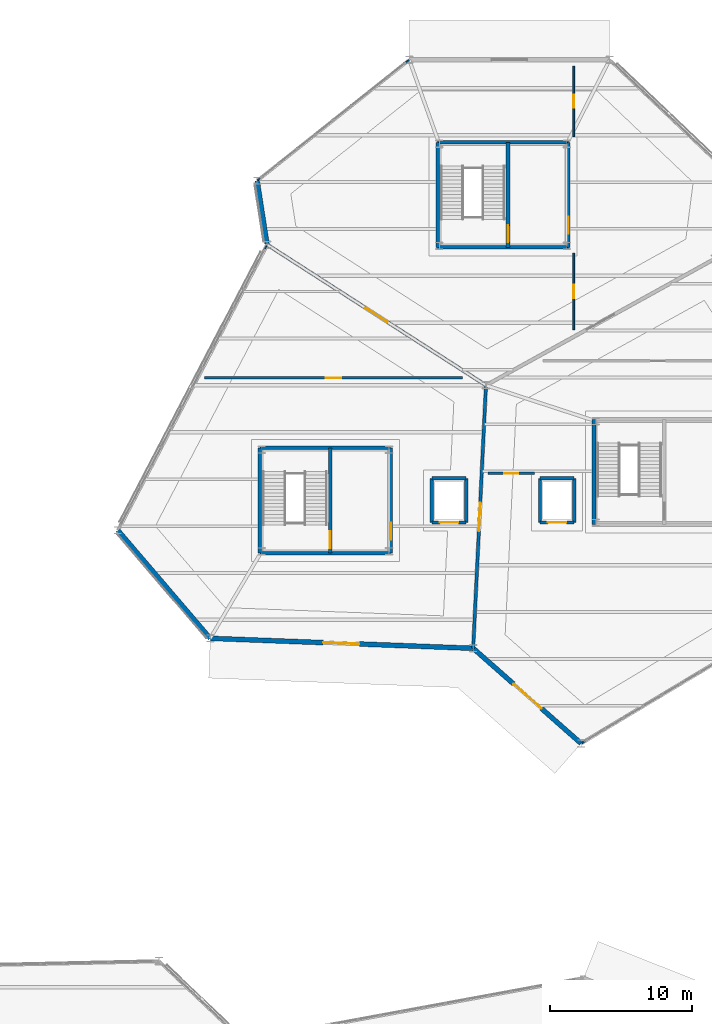
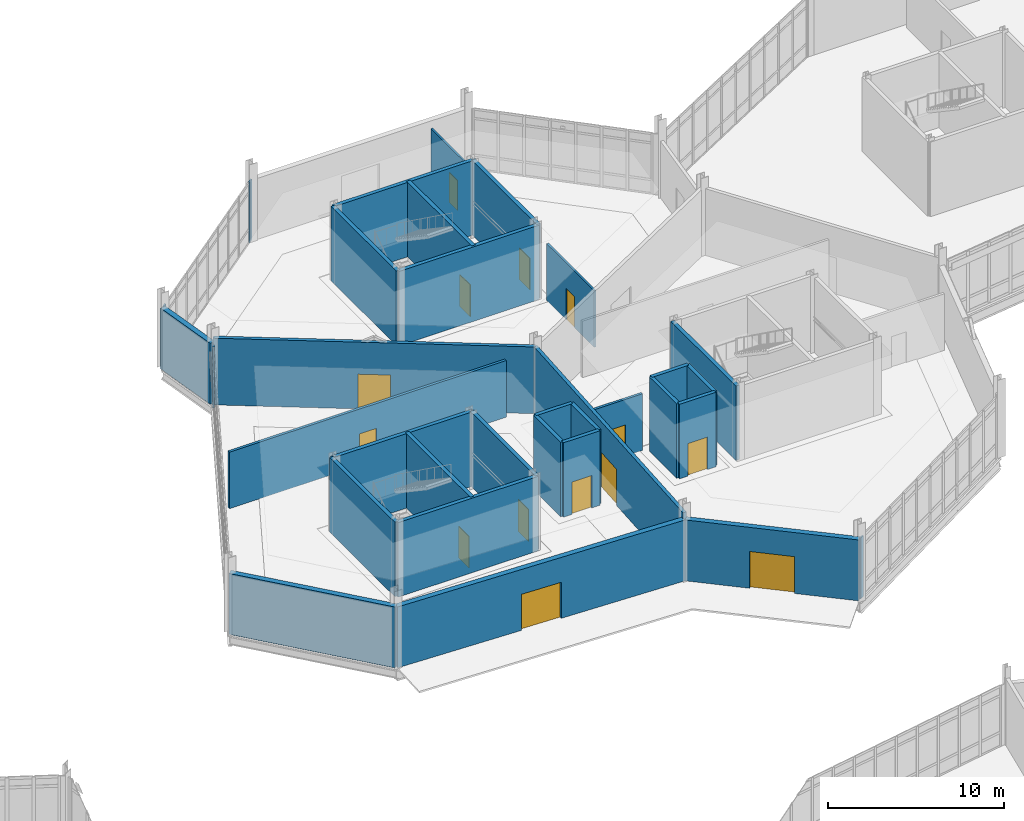
# One storey, part 96 of 113: 33 walls, 14 doors, 14 openings.
"""IFC4 building model written with IfcOpenShell, lengths in metres."""

import ifcopenshell
import ifcopenshell.guid

model = None  # the IFC model being written
_history = None  # IfcOwnerHistory: only IFC2X3 demands one
_inside = {}  # id of a spatial element -> (the spatial element, [elements in it])
_under = {}  # id of a project, library or spatial element -> (it, [spatial elements below it])
_declared = {}  # id of a project -> (the project, [libraries it declares])
_typed = {}  # id of a type object -> (the type object, [elements of that type])
_made_of = {}  # id of a material, layer set ... -> (it, [elements and type objects made of it])


def new_model(schema):
    """Start an empty IFC model of exactly this schema.

    Asked for "IFC4X3", IfcOpenShell would pick the latest addendum, in which some entities
    have other attributes; the version numbers below select the first issue.
    IFC2X3 requires an IfcOwnerHistory on every rooted entity: one is made here for all.
    """
    global model, _history
    if schema == "IFC4X3":
        model = ifcopenshell.file(schema_version=(4, 3, 0, 0))
    else:
        model = ifcopenshell.file(schema=schema)
    _inside.clear()
    _under.clear()
    _declared.clear()
    _typed.clear()
    _made_of.clear()
    _history = None
    if model.schema == "IFC2X3":
        org = make("IfcOrganization", Name="unknown")
        user = make(
            "IfcPersonAndOrganization",
            ThePerson=make("IfcPerson", FamilyName="unknown"),
            TheOrganization=org,
        )
        app = make(
            "IfcApplication",
            ApplicationDeveloper=org,
            Version="unknown",
            ApplicationFullName="unknown",
            ApplicationIdentifier="unknown",
        )
        _history = make(
            "IfcOwnerHistory",
            OwningUser=user,
            OwningApplication=app,
            ChangeAction="ADDED",
            CreationDate=0,
        )
    return model


def make(cls, **values):
    """One entity of the class cls with the attributes given. An attribute that is None is left unset."""
    return model.create_entity(
        cls, **{name: value for name, value in values.items() if value is not None}
    )


def rooted(cls, **values):
    """An entity with a GlobalId (a new one), such as an element, a storey or a relation."""
    return make(cls, GlobalId=ifcopenshell.guid.new(), OwnerHistory=_history, **values)


def si_unit(unit_type, name, prefix=None):
    """IfcSIUnit, for example si_unit("LENGTHUNIT", "METRE", prefix="MILLI")."""
    return make("IfcSIUnit", UnitType=unit_type, Prefix=prefix, Name=name)


def assignment(units):
    """IfcUnitAssignment: the units of a project."""
    return None if units is None else make("IfcUnitAssignment", Units=units)


def point(xyz):
    """IfcCartesianPoint."""
    return None if xyz is None else make("IfcCartesianPoint", Coordinates=xyz)


def direction(xyz):
    """IfcDirection."""
    return None if xyz is None else make("IfcDirection", DirectionRatios=xyz)


def frame(location, z_axis=None, x_axis=None):
    """IfcAxis2Placement3D, a coordinate frame: its origin and axes. An axis left out is left unset."""
    return make(
        "IfcAxis2Placement3D",
        Location=point(location),
        Axis=direction(z_axis),
        RefDirection=direction(x_axis),
    )


def frame_2d(location, x_axis=None):
    """IfcAxis2Placement2D, a coordinate frame in the plane: its origin and x axis."""
    return make(
        "IfcAxis2Placement2D", Location=point(location), RefDirection=direction(x_axis)
    )


def origin():
    """The frame at (0, 0, 0) with its axes left unset."""
    return frame((0.0, 0.0, 0.0))


def place(relative_to, where):
    """IfcLocalPlacement: puts the frame where relative to a parent placement (None: the world)."""
    return make(
        "IfcLocalPlacement", PlacementRelTo=relative_to, RelativePlacement=where
    )


def context(
    kind, dimensions, precision=None, world=None, true_north=None, identifier=None
):
    """IfcGeometricRepresentationContext, for example the 3D "Model" context."""
    return make(
        "IfcGeometricRepresentationContext",
        ContextIdentifier=identifier,
        ContextType=kind,
        CoordinateSpaceDimension=dimensions,
        Precision=precision,
        WorldCoordinateSystem=world,
        TrueNorth=true_north,
    )


def subcontext(parent, identifier, kind, view, scale=None):
    """IfcGeometricRepresentationSubContext, for example "Body" below "Model"."""
    return make(
        "IfcGeometricRepresentationSubContext",
        ContextIdentifier=identifier,
        ContextType=kind,
        ParentContext=parent,
        TargetScale=scale,
        TargetView=view,
    )


def project(units=None, contexts=None):
    """IfcProject with its units and contexts."""
    return rooted(
        "IfcProject",
        Name="project",
        RepresentationContexts=contexts,
        UnitsInContext=assignment(units),
    )


def spatial(cls, under=None, at=None, **own):
    """A site, building, storey or space (cls), placed at a placement, below another one or the project."""
    s = rooted(cls, ObjectPlacement=at, **own)
    if under is not None:
        _under.setdefault(under.id(), (under, []))[1].append(s)
    return s


def profile(cls, at=None, kind="AREA", **sizes):
    """A parametric profile (cls). Its sizes go by their IFC names, for example OverallWidth=200.0."""
    return make(cls, ProfileType=kind, Position=at, **sizes)


def rectangle(**sizes):
    """IfcRectangleProfileDef."""
    return profile("IfcRectangleProfileDef", **sizes)


def extrude(swept, where, along, depth):
    """IfcExtrudedAreaSolid: the profile swept, set in the frame where, extruded along a direction by depth."""
    return make(
        "IfcExtrudedAreaSolid",
        SweptArea=swept,
        Position=where,
        ExtrudedDirection=direction(along),
        Depth=depth,
    )


def shape(context_of_items, identifier, shape_type, items):
    """IfcShapeRepresentation: the items that make up one representation, for example the "Body"."""
    return make(
        "IfcShapeRepresentation",
        ContextOfItems=context_of_items,
        RepresentationIdentifier=identifier,
        RepresentationType=shape_type,
        Items=items,
    )


def material(Name=None, Category=None):
    """IfcMaterial."""
    return make("IfcMaterial", Name=Name, Category=Category)


def layer(
    of_material, thickness, ventilated=None, Name=None, Category=None, Priority=None
):
    """IfcMaterialLayer: one layer of a wall or slab, of a material (None: an air gap)."""
    return make(
        "IfcMaterialLayer",
        Material=of_material,
        LayerThickness=thickness,
        IsVentilated=ventilated,
        Name=Name,
        Category=Category,
        Priority=Priority,
    )


def layer_set(layers, Name=None):
    """IfcMaterialLayerSet."""
    return make("IfcMaterialLayerSet", MaterialLayers=layers, LayerSetName=Name)


def made_of(thing, what):
    """Note that an element or type object is made of a material, layer set ...; save() writes the relation."""
    if what is not None:
        _made_of.setdefault(what.id(), (what, []))[1].append(thing)
    return thing


def type_object(cls, material=None, **own):
    """A type object (cls), such as IfcWallType, which elements share."""
    return made_of(rooted(cls, **own), material)


def element(
    cls,
    number,
    at=None,
    inside=None,
    cuts=None,
    type_object=None,
    material=None,
    context=None,
    identifier="Body",
    shape_type=None,
    held_by="IfcProductDefinitionShape",
    body=None,
    shapes=None,
    **own,
):
    """One element of the class cls, such as IfcWall. Its Tag is "e" and its number.

    at: its placement. inside: the storey or other place that contains it. cuts: it is an
    opening in that element (IfcRelVoidsElement). A single representation is given by context,
    identifier, shape_type and body (its items); several are given by shapes. held_by: the class
    of the entity that holds the representations. save() writes the other relations.
    """
    e = rooted(cls, Tag="e%d" % number, ObjectPlacement=at, **own)
    if body is not None:
        shapes = [shape(context, identifier, shape_type, body)]
    if shapes is not None:
        e.Representation = make(held_by, Representations=shapes)
    if inside is not None:
        _inside.setdefault(inside.id(), (inside, []))[1].append(e)
    if cuts is not None:
        rooted(
            "IfcRelVoidsElement", RelatingBuildingElement=cuts, RelatedOpeningElement=e
        )
    if type_object is not None:
        _typed.setdefault(type_object.id(), (type_object, []))[1].append(e)
    return made_of(e, material)


def fill(opening, filler):
    """IfcRelFillsElement: the door or window that sits in an opening."""
    return rooted(
        "IfcRelFillsElement",
        RelatingOpeningElement=opening,
        RelatedBuildingElement=filler,
    )


def aggregate(whole, parts):
    """IfcRelAggregates: a whole, such as a stair, and the parts it consists of."""
    return rooted("IfcRelAggregates", RelatingObject=whole, RelatedObjects=parts)


def save(model, path):
    """Write the relations noted so far, then the file.

    IfcRelAggregates (storeys below a building ...), IfcRelContainedInSpatialStructure (elements
    in a storey), IfcRelDefinesByType, IfcRelAssociatesMaterial and IfcRelDeclares: one each for
    every whole, place, type object, material and project.
    """
    for whole, parts in _under.values():
        aggregate(whole, parts)
    for where, things in _inside.values():
        rooted(
            "IfcRelContainedInSpatialStructure",
            RelatedElements=things,
            RelatingStructure=where,
        )
    for kind, things in _typed.values():
        rooted("IfcRelDefinesByType", RelatedObjects=things, RelatingType=kind)
    for what, things in _made_of.values():
        rooted("IfcRelAssociatesMaterial", RelatedObjects=things, RelatingMaterial=what)
    for by, libraries in _declared.values():
        rooted("IfcRelDeclares", RelatingContext=by, RelatedDefinitions=libraries)
    model.write(path)


model = new_model("IFC4")

# Units and contexts
model_context = context("Model", 3, precision=1e-05, world=origin(), true_north=direction((0.0, 1.0)))
body_context = subcontext(model_context, "Body", "Model", "MODEL_VIEW")
ifc_project = project(units=[si_unit("LENGTHUNIT", "METRE"), si_unit("AREAUNIT", "SQUARE_METRE"), si_unit("VOLUMEUNIT", "CUBIC_METRE"), si_unit("PLANEANGLEUNIT", "RADIAN"), si_unit("MASSUNIT", "GRAM", prefix="KILO")], contexts=[model_context])

# Site, building, storey
site_placement = place(None, origin())
site = spatial("IfcSite", under=ifc_project, at=site_placement, CompositionType="ELEMENT")
building_placement = place(site_placement, origin())
building = spatial("IfcBuilding", under=site, at=building_placement, Name="Tameran Prism Museum", CompositionType="ELEMENT")
storey_placement = place(building_placement, origin())
storey = spatial("IfcBuildingStorey", under=building, at=storey_placement, Name="L00", CompositionType="ELEMENT", Elevation=0.0)

# Walls
ifc_material_1 = material(Name="Precast Concrete N40 (40 MPa)", Category="concrete")
ifc_layer_1 = layer(ifc_material_1, 0.094970703125)
ifc_layer_set_1 = layer_set([ifc_layer_1])
wall_type_1 = type_object("IfcWallType", Name="EW-CLOS-095", PredefinedType="SOLIDWALL", material=ifc_layer_set_1)
wall_1_placement = place(storey_placement, frame((103.2099609375, 98.636962890625, 0.0), z_axis=(0.0, 0.0, 1.0), x_axis=(0.464243799771, 0.885707454171, 0.0)))
element("IfcWall", 1, at=wall_1_placement, inside=storey, type_object=wall_type_1, Name="Facade Corner Closure EW-0067", PredefinedType="SOLIDWALL", context=body_context, shape_type="SweptSolid", body=[
    extrude(rectangle(XDim=0.30810546875, YDim=0.094970703125, at=frame_2d((0.154052734375, 0.0))), origin(), (0.0, 0.0, 1.0), 4.219970703125),
])
wall_2_placement = place(storey_placement, frame((125.800048828125, 64.080078125, 0.0), z_axis=(0.0, 0.0, 1.0), x_axis=(-0.858261853705, -0.513212032668, 0.0)))
element("IfcWall", 2, at=wall_2_placement, inside=storey, type_object=wall_type_1, Name="Facade Corner Closure EW-0071", PredefinedType="SOLIDWALL", context=body_context, shape_type="SweptSolid", body=[
    extrude(rectangle(XDim=0.307861328125, YDim=0.094970703125, at=frame_2d((0.15380859375, 0.0))), origin(), (0.0, 0.0, 1.0), 4.219970703125),
])
wall_3_placement = place(storey_placement, frame((102.73291015625, 103.52587890625, 0.0), z_axis=(0.0, 0.0, 1.0), x_axis=(0.782180115256, 0.623052379257, 0.0)))
element("IfcWall", 3, at=wall_3_placement, inside=storey, type_object=wall_type_1, Name="Facade Corner Closure EW-0076", PredefinedType="SOLIDWALL", context=body_context, shape_type="SweptSolid", body=[
    extrude(rectangle(XDim=0.308349609375, YDim=0.094970703125, at=frame_2d((0.154296875, 0.0))), origin(), (0.0, 0.0, 1.0), 4.219970703125),
])
wall_4_placement = place(storey_placement, frame((113.1259765625, 111.781982421875, 0.0), z_axis=(0.0, 0.0, 1.0), x_axis=(0.781872503851, 0.6234383592, 0.0)))
element("IfcWall", 4, at=wall_4_placement, inside=storey, type_object=wall_type_1, Name="Facade Corner Closure EW-0077", PredefinedType="SOLIDWALL", context=body_context, shape_type="SweptSolid", body=[
    extrude(rectangle(XDim=0.30810546875, YDim=0.094970703125, at=frame_2d((0.154052734375, 0.0))), origin(), (0.0, 0.0, 1.0), 4.219970703125),
])

# Wall, opening, door
ifc_material_2 = material(Name="Precast Concrete N40 (40 MPa)", Category="concrete")
ifc_layer_2 = layer(ifc_material_2, 0.340087890625)
ifc_layer_set_2 = layer_set([ifc_layer_2])
wall_type_2 = type_object("IfcWallType", Name="EW-GAL-340", PredefinedType="SOLIDWALL", material=ifc_layer_set_2)
wall_5_placement = place(storey_placement, frame((117.840087890625, 70.60205078125, 0.0), z_axis=(0.0, 0.0, 1.0), x_axis=(-0.999284381651, 0.037824920194, 0.0)))
wall_5 = element("IfcWall", 5, at=wall_5_placement, inside=storey, type_object=wall_type_2, Name="Exterior Fluted Precast Wall EW-0065", PredefinedType="SOLIDWALL", context=body_context, shape_type="SweptSolid", body=[
    extrude(rectangle(XDim=18.453369140625, YDim=0.340087890625, at=frame_2d((9.2265625, 0.0))), origin(), (0.0, 0.0, 1.0), 4.219970703125),
])
opening_1_placement = place(wall_5_placement, frame((7.950927734375, 0.0, 0.0)))
opening_1 = element("IfcOpeningElement", 6, at=opening_1_placement, cuts=wall_5, Name="Opening ED-01", PredefinedType="OPENING", context=body_context, shape_type="SweptSolid", body=[
    extrude(rectangle(XDim=2.550048828125, YDim=2.5, at=frame_2d((1.27490234375, 1.25))), frame((0.0, 0.179931640625, 0.0), z_axis=(0.0, -1.0, 0.0), x_axis=(1.0, 0.0, 0.0)), (0.0, 0.0, 1.0), 0.360107421875),
])
ifc_material_3 = material(Name="Cyclone-Rated Anodised Aluminium 6063-T6 and Laminated Glass", Category="aluminium")
door_type_1 = type_object("IfcDoorType", Name="DR-EXT-230", OperationType="DOUBLE_DOOR_SINGLE_SWING", PredefinedType="DOOR", material=ifc_material_3)
door_1_placement = place(opening_1_placement, origin())
door_1 = element("IfcDoor", 7, at=door_1_placement, inside=storey, type_object=door_type_1, Name="Final Exit Double Door ED-01", OperationType="DOUBLE_DOOR_SINGLE_SWING", OverallHeight=2.5, OverallWidth=2.550048828125, PredefinedType="DOOR", context=body_context, shape_type="SweptSolid", body=[
    extrude(rectangle(XDim=2.550048828125, YDim=2.5, at=frame_2d((1.27490234375, 1.25))), frame((0.0, 0.02490234375, 0.0), z_axis=(0.0, -1.0, 0.0), x_axis=(1.0, 0.0, 0.0)), (0.0, 0.0, 1.0), 0.050048828125),
])
fill(opening_1, door_1)

# Wall
wall_6_placement = place(storey_placement, frame((99.39990234375, 71.300048828125, 0.0), z_axis=(0.0, 0.0, 1.0), x_axis=(-0.649974737731, 0.75995581471, 0.0)))
element("IfcWall", 8, at=wall_6_placement, inside=storey, type_object=wall_type_2, Name="Exterior Fluted Precast Wall EW-0068", PredefinedType="SOLIDWALL", context=body_context, shape_type="SweptSolid", body=[
    extrude(rectangle(XDim=10.00048828125, YDim=0.340087890625, at=frame_2d((5.000244140625, 0.0))), origin(), (0.0, 0.0, 1.0), 4.219970703125),
])

# Wall, opening, door
wall_7_placement = place(storey_placement, frame((125.5, 63.89990234375, 0.0), z_axis=(0.0, 0.0, 1.0), x_axis=(-0.750131359252, 0.661288850554, 0.0)))
wall_7 = element("IfcWall", 9, at=wall_7_placement, inside=storey, type_object=wall_type_2, Name="Exterior Fluted Precast Wall EW-0069", PredefinedType="SOLIDWALL", context=body_context, shape_type="SweptSolid", body=[
    extrude(rectangle(XDim=10.071533203125, YDim=0.340087890625, at=frame_2d((5.03564453125, 0.0))), origin(), (0.0, 0.0, 1.0), 4.219970703125),
])
opening_2_placement = place(wall_7_placement, frame((3.736083984375, 0.0, 0.0)))
opening_2 = element("IfcOpeningElement", 10, at=opening_2_placement, cuts=wall_7, Name="Opening ED-02", PredefinedType="OPENING", context=body_context, shape_type="SweptSolid", body=[
    extrude(rectangle(XDim=2.60009765625, YDim=2.550048828125, at=frame_2d((1.300048828125, 1.27490234375))), frame((0.0, 0.179931640625, 0.0), z_axis=(0.0, -1.0, 0.0), x_axis=(1.0, 0.0, 0.0)), (0.0, 0.0, 1.0), 0.360107421875),
])
ifc_material_4 = material(Name="Cyclone-Rated Anodised Aluminium 6063-T6 and Laminated Glass", Category="aluminium")
door_type_2 = type_object("IfcDoorType", Name="DR-EXT-240", OperationType="DOUBLE_DOOR_SINGLE_SWING", PredefinedType="DOOR", material=ifc_material_4)
door_2_placement = place(opening_2_placement, origin())
door_2 = element("IfcDoor", 11, at=door_2_placement, inside=storey, type_object=door_type_2, Name="Final Exit Double Door ED-02", OperationType="DOUBLE_DOOR_SINGLE_SWING", OverallHeight=2.550048828125, OverallWidth=2.60009765625, PredefinedType="DOOR", context=body_context, shape_type="SweptSolid", body=[
    extrude(rectangle(XDim=2.60009765625, YDim=2.550048828125, at=frame_2d((1.300048828125, 1.27490234375))), frame((0.0, 0.02490234375, 0.0), z_axis=(0.0, -1.0, 0.0), x_axis=(1.0, 0.0, 0.0)), (0.0, 0.0, 1.0), 0.050048828125),
])
fill(opening_2, door_2)

# Wall
wall_8_placement = place(storey_placement, frame((103.39111328125, 99.05908203125, 0.0), z_axis=(0.0, 0.0, 1.0), x_axis=(-0.153783616147, 0.988104548823, 0.0)))
element("IfcWall", 12, at=wall_8_placement, inside=storey, type_object=wall_type_2, Name="Exterior Fluted Precast Wall EW-0078", PredefinedType="SOLIDWALL", context=body_context, shape_type="SweptSolid", body=[
    extrude(rectangle(XDim=4.494384765625, YDim=0.340087890625, at=frame_2d((2.2470703125, 0.0))), origin(), (0.0, 0.0, 1.0), 4.219970703125),
])

# Wall, opening, door
ifc_material_5 = material(Name="Concrete N40 (40 MPa)", Category="concrete")
ifc_layer_3 = layer(ifc_material_5, 0.22509765625)
ifc_layer_set_3 = layer_set([ifc_layer_3])
wall_type_3 = type_object("IfcWallType", Name="IW-CMP-225", PredefinedType="SOLIDWALL", material=ifc_layer_set_3)
wall_9_placement = place(storey_placement, frame((117.89990234375, 70.60009765625, 0.0), z_axis=(0.0, 0.0, 1.0), x_axis=(0.048599072515, 0.998818366947, 0.0)))
wall_9 = element("IfcWall", 13, at=wall_9_placement, inside=storey, type_object=wall_type_3, Name="Compartment Wall IW-0029", PredefinedType="SOLIDWALL", context=body_context, shape_type="SweptSolid", body=[
    extrude(rectangle(XDim=18.52197265625, YDim=0.22509765625, at=frame_2d((9.260986328125, 0.0))), origin(), (0.0, 0.0, 1.0), 4.6201171875),
])
opening_3_placement = place(wall_9_placement, frame((8.260986328125, 0.0, 0.0)))
opening_3 = element("IfcOpeningElement", 14, at=opening_3_placement, cuts=wall_9, Name="Opening ID-0028", PredefinedType="OPENING", context=body_context, shape_type="SweptSolid", body=[
    extrude(rectangle(XDim=2.0, YDim=2.5, at=frame_2d((1.0, 1.25))), frame((0.0, 0.12255859375, 0.0), z_axis=(0.0, -1.0, 0.0), x_axis=(1.0, 0.0, 0.0)), (0.0, 0.0, 1.0), 0.2451171875),
])
ifc_material_6 = material(Name="Fire-Rated Steel Door Leaf and Frame", Category="steel")
door_type_3 = type_object("IfcDoorType", Name="DR-GAL-200", OperationType="DOUBLE_DOOR_SINGLE_SWING", PredefinedType="DOOR", material=ifc_material_6)
door_3_placement = place(opening_3_placement, origin())
door_3 = element("IfcDoor", 15, at=door_3_placement, inside=storey, type_object=door_type_3, Name="Compartment Door ID-0028", OperationType="DOUBLE_DOOR_SINGLE_SWING", OverallHeight=2.5, OverallWidth=2.0, PredefinedType="DOOR", context=body_context, shape_type="SweptSolid", body=[
    extrude(rectangle(XDim=2.0, YDim=2.5, at=frame_2d((1.0, 1.25))), frame((0.0, 0.02490234375, 0.0), z_axis=(0.0, -1.0, 0.0), x_axis=(1.0, 0.0, 0.0)), (0.0, 0.0, 1.0), 0.050048828125),
])
fill(opening_3, door_3)

wall_10_placement = place(storey_placement, frame((118.800048828125, 89.10009765625, 0.0), z_axis=(0.0, 0.0, 1.0), x_axis=(-0.841183241423, 0.540750177392, 0.0)))
wall_10 = element("IfcWall", 16, at=wall_10_placement, inside=storey, type_object=wall_type_3, Name="Compartment Wall IW-0030", PredefinedType="SOLIDWALL", context=body_context, shape_type="SweptSolid", body=[
    extrude(rectangle(XDim=18.3076171875, YDim=0.22509765625, at=frame_2d((9.15380859375, 0.0))), origin(), (0.0, 0.0, 1.0), 4.6201171875),
])
opening_4_placement = place(wall_10_placement, frame((8.22900390625, 0.0, 0.0)))
opening_4 = element("IfcOpeningElement", 17, at=opening_4_placement, cuts=wall_10, Name="Opening ID-0029", PredefinedType="OPENING", context=body_context, shape_type="SweptSolid", body=[
    extrude(rectangle(XDim=1.85009765625, YDim=2.39990234375, at=frame_2d((0.925048828125, 1.199951171875))), frame((0.0, 0.12255859375, 0.0), z_axis=(0.0, -1.0, 0.0), x_axis=(1.0, 0.0, 0.0)), (0.0, 0.0, 1.0), 0.2451171875),
])
ifc_material_7 = material(Name="Fire-Rated Steel Door Leaf and Frame", Category="steel")
door_type_4 = type_object("IfcDoorType", Name="DR-GAL-185", OperationType="DOUBLE_DOOR_SINGLE_SWING", PredefinedType="DOOR", material=ifc_material_7)
door_4_placement = place(opening_4_placement, origin())
door_4 = element("IfcDoor", 18, at=door_4_placement, inside=storey, type_object=door_type_4, Name="Compartment Door ID-0029", OperationType="DOUBLE_DOOR_SINGLE_SWING", OverallHeight=2.39990234375, OverallWidth=1.85009765625, PredefinedType="DOOR", context=body_context, shape_type="SweptSolid", body=[
    extrude(rectangle(XDim=1.85009765625, YDim=2.39990234375, at=frame_2d((0.925048828125, 1.199951171875))), frame((0.0, 0.02490234375, 0.0), z_axis=(0.0, -1.0, 0.0), x_axis=(1.0, 0.0, 0.0)), (0.0, 0.0, 1.0), 0.050048828125),
])
fill(opening_4, door_4)

# Walls
ifc_material_8 = material(Name="Concrete N40 (40 MPa)", Category="concrete")
ifc_layer_4 = layer(ifc_material_8, 0.25)
ifc_layer_set_4 = layer_set([ifc_layer_4])
wall_type_4 = type_object("IfcWallType", Name="IW-COR-250", PredefinedType="SHEAR", material=ifc_layer_set_4)
wall_11_placement = place(storey_placement, frame((102.89990234375, 77.300048828125, 0.0), z_axis=(0.0, 0.0, 1.0), x_axis=(0.0, 1.0, 0.0)))
element("IfcWall", 19, at=wall_11_placement, inside=storey, type_object=wall_type_4, Name="Core Shear Wall CW-1-L00-W", PredefinedType="SHEAR", context=body_context, shape_type="SweptSolid", body=[
    extrude(rectangle(XDim=7.39990234375, YDim=0.25, at=frame_2d((3.699951171875, 0.0))), origin(), (0.0, 0.0, 1.0), 5.159912109375),
])
for number, where, z_axis, x_axis, name in (
    (20, (102.89990234375, 84.699951171875, 0.0), (0.0, 0.0, 1.0), (1.0, 0.0, 0.0), "Core Shear Wall CW-1-L00-N"),
    (21, (112.10009765625, 77.300048828125, 0.0), (0.0, 0.0, 1.0), (-1.0, 0.0, 0.0), "Core Shear Wall CW-1-L00-S"),
):
    element("IfcWall", number, at=place(storey_placement, frame(where, z_axis=z_axis, x_axis=x_axis)), inside=storey, type_object=wall_type_4, Name=name, PredefinedType="SHEAR", context=body_context, shape_type="SweptSolid", body=[
        extrude(rectangle(XDim=9.2001953125, YDim=0.25, at=frame_2d((4.60009765625, 0.0))), origin(), (0.0, 0.0, 1.0), 5.159912109375),
    ])

# Wall, opening, door
wall_12_placement = place(storey_placement, frame((112.10009765625, 84.699951171875, 0.0), z_axis=(0.0, 0.0, 1.0), x_axis=(0.0, -1.0, 0.0)))
wall_12 = element("IfcWall", 22, at=wall_12_placement, inside=storey, type_object=wall_type_4, Name="Core Shear Wall CW-1-L00-E", PredefinedType="SHEAR", context=body_context, shape_type="SweptSolid", body=[
    extrude(rectangle(XDim=7.39990234375, YDim=0.25, at=frame_2d((3.699951171875, 0.0))), origin(), (0.0, 0.0, 1.0), 5.159912109375),
])
opening_5_placement = place(wall_12_placement, frame((5.25, 0.0, 0.0)))
opening_5 = element("IfcOpeningElement", 23, at=opening_5_placement, cuts=wall_12, Name="Opening FD-0171", PredefinedType="OPENING", context=body_context, shape_type="SweptSolid", body=[
    extrude(rectangle(XDim=1.199951171875, YDim=2.199951171875, at=frame_2d((0.60009765625, 1.10009765625))), frame((0.0, 0.135009765625, 0.0), z_axis=(0.0, -1.0, 0.0), x_axis=(1.0, 0.0, 0.0)), (0.0, 0.0, 1.0), 0.27001953125),
])
ifc_material_9 = material(Name="Fire-Rated Steel Door Leaf and Frame", Category="steel")
door_type_5 = type_object("IfcDoorType", Name="DR-FD-120A", OperationType="NOTDEFINED", PredefinedType="DOOR", material=ifc_material_9)
door_5_placement = place(opening_5_placement, origin())
door_5 = element("IfcDoor", 24, at=door_5_placement, inside=storey, type_object=door_type_5, Name="Core Fire Door FD-0171", OperationType="SINGLE_SWING_LEFT", OverallHeight=2.199951171875, OverallWidth=1.199951171875, PredefinedType="DOOR", context=body_context, shape_type="SweptSolid", body=[
    extrude(rectangle(XDim=1.199951171875, YDim=2.199951171875, at=frame_2d((0.60009765625, 1.10009765625))), frame((0.0, 0.02490234375, 0.0), z_axis=(0.0, -1.0, 0.0), x_axis=(1.0, 0.0, 0.0)), (0.0, 0.0, 1.0), 0.050048828125),
])
fill(opening_5, door_5)

wall_13_placement = place(storey_placement, frame((107.85009765625, 84.699951171875, 0.0), z_axis=(0.0, 0.0, 1.0), x_axis=(0.0, -1.0, 0.0)))
wall_13 = element("IfcWall", 25, at=wall_13_placement, inside=storey, type_object=wall_type_4, Name="Core Shear Wall CW-1-L00-M", PredefinedType="SHEAR", context=body_context, shape_type="SweptSolid", body=[
    extrude(rectangle(XDim=7.39990234375, YDim=0.25, at=frame_2d((3.699951171875, 0.0))), origin(), (0.0, 0.0, 1.0), 5.159912109375),
])
opening_6_placement = place(wall_13_placement, frame((5.85009765625, 0.0, 0.0)))
opening_6 = element("IfcOpeningElement", 26, at=opening_6_placement, cuts=wall_13, Name="Opening FD-0172", PredefinedType="OPENING", context=body_context, shape_type="SweptSolid", body=[
    extrude(rectangle(XDim=1.199951171875, YDim=2.199951171875, at=frame_2d((0.60009765625, 1.10009765625))), frame((0.0, 0.135009765625, 0.0), z_axis=(0.0, -1.0, 0.0), x_axis=(1.0, 0.0, 0.0)), (0.0, 0.0, 1.0), 0.27001953125),
])
door_6_placement = place(opening_6_placement, origin())
door_6 = element("IfcDoor", 27, at=door_6_placement, inside=storey, type_object=door_type_5, Name="Core Fire Door FD-0172", OperationType="SINGLE_SWING_RIGHT", OverallHeight=2.199951171875, OverallWidth=1.199951171875, PredefinedType="DOOR", context=body_context, shape_type="SweptSolid", body=[
    extrude(rectangle(XDim=1.199951171875, YDim=2.199951171875, at=frame_2d((0.60009765625, 1.10009765625))), frame((0.0, 0.02490234375, 0.0), z_axis=(0.0, -1.0, 0.0), x_axis=(1.0, 0.0, 0.0)), (0.0, 0.0, 1.0), 0.050048828125),
])
fill(opening_6, door_6)

# Walls
for number, where, z_axis, x_axis, name in (
    (28, (126.39990234375, 79.300048828125, 0.0), (0.0, 0.0, 1.0), (0.0, 1.0, 0.0), "Core Shear Wall CW-2-L00-W"),
    (29, (115.39990234375, 98.800048828125, 0.0), (0.0, 0.0, 1.0), (0.0, 1.0, 0.0), "Core Shear Wall CW-7-L00-W"),
):
    element("IfcWall", number, at=place(storey_placement, frame(where, z_axis=z_axis, x_axis=x_axis)), inside=storey, type_object=wall_type_4, Name=name, PredefinedType="SHEAR", context=body_context, shape_type="SweptSolid", body=[
        extrude(rectangle(XDim=7.39990234375, YDim=0.25, at=frame_2d((3.699951171875, 0.0))), origin(), (0.0, 0.0, 1.0), 5.159912109375),
    ])
for number, where, z_axis, x_axis, name in (
    (30, (115.39990234375, 106.199951171875, 0.0), (0.0, 0.0, 1.0), (1.0, 0.0, 0.0), "Core Shear Wall CW-7-L00-N"),
    (31, (124.60009765625, 98.800048828125, 0.0), (0.0, 0.0, 1.0), (-1.0, 0.0, 0.0), "Core Shear Wall CW-7-L00-S"),
):
    element("IfcWall", number, at=place(storey_placement, frame(where, z_axis=z_axis, x_axis=x_axis)), inside=storey, type_object=wall_type_4, Name=name, PredefinedType="SHEAR", context=body_context, shape_type="SweptSolid", body=[
        extrude(rectangle(XDim=9.2001953125, YDim=0.25, at=frame_2d((4.60009765625, 0.0))), origin(), (0.0, 0.0, 1.0), 5.159912109375),
    ])

# Wall, opening, door
wall_14_placement = place(storey_placement, frame((124.60009765625, 106.199951171875, 0.0), z_axis=(0.0, 0.0, 1.0), x_axis=(0.0, -1.0, 0.0)))
wall_14 = element("IfcWall", 32, at=wall_14_placement, inside=storey, type_object=wall_type_4, Name="Core Shear Wall CW-7-L00-E", PredefinedType="SHEAR", context=body_context, shape_type="SweptSolid", body=[
    extrude(rectangle(XDim=7.39990234375, YDim=0.25, at=frame_2d((3.699951171875, 0.0))), origin(), (0.0, 0.0, 1.0), 5.159912109375),
])
opening_7_placement = place(wall_14_placement, frame((5.25, 0.0, 0.0)))
opening_7 = element("IfcOpeningElement", 33, at=opening_7_placement, cuts=wall_14, Name="Opening FD-0199", PredefinedType="OPENING", context=body_context, shape_type="SweptSolid", body=[
    extrude(rectangle(XDim=1.199951171875, YDim=2.199951171875, at=frame_2d((0.60009765625, 1.10009765625))), frame((0.0, 0.135009765625, 0.0), z_axis=(0.0, -1.0, 0.0), x_axis=(1.0, 0.0, 0.0)), (0.0, 0.0, 1.0), 0.27001953125),
])
door_7_placement = place(opening_7_placement, origin())
door_7 = element("IfcDoor", 34, at=door_7_placement, inside=storey, type_object=door_type_5, Name="Core Fire Door FD-0199", OperationType="SINGLE_SWING_LEFT", OverallHeight=2.199951171875, OverallWidth=1.199951171875, PredefinedType="DOOR", context=body_context, shape_type="SweptSolid", body=[
    extrude(rectangle(XDim=1.199951171875, YDim=2.199951171875, at=frame_2d((0.60009765625, 1.10009765625))), frame((0.0, 0.02490234375, 0.0), z_axis=(0.0, -1.0, 0.0), x_axis=(1.0, 0.0, 0.0)), (0.0, 0.0, 1.0), 0.050048828125),
])
fill(opening_7, door_7)

wall_15_placement = place(storey_placement, frame((120.35009765625, 106.199951171875, 0.0), z_axis=(0.0, 0.0, 1.0), x_axis=(0.0, -1.0, 0.0)))
wall_15 = element("IfcWall", 35, at=wall_15_placement, inside=storey, type_object=wall_type_4, Name="Core Shear Wall CW-7-L00-M", PredefinedType="SHEAR", context=body_context, shape_type="SweptSolid", body=[
    extrude(rectangle(XDim=7.39990234375, YDim=0.25, at=frame_2d((3.699951171875, 0.0))), origin(), (0.0, 0.0, 1.0), 5.159912109375),
])
opening_8_placement = place(wall_15_placement, frame((5.85009765625, 0.0, 0.0)))
opening_8 = element("IfcOpeningElement", 36, at=opening_8_placement, cuts=wall_15, Name="Opening FD-0200", PredefinedType="OPENING", context=body_context, shape_type="SweptSolid", body=[
    extrude(rectangle(XDim=1.199951171875, YDim=2.199951171875, at=frame_2d((0.60009765625, 1.10009765625))), frame((0.0, 0.135009765625, 0.0), z_axis=(0.0, -1.0, 0.0), x_axis=(1.0, 0.0, 0.0)), (0.0, 0.0, 1.0), 0.27001953125),
])
door_8_placement = place(opening_8_placement, origin())
door_8 = element("IfcDoor", 37, at=door_8_placement, inside=storey, type_object=door_type_5, Name="Core Fire Door FD-0200", OperationType="SINGLE_SWING_RIGHT", OverallHeight=2.199951171875, OverallWidth=1.199951171875, PredefinedType="DOOR", context=body_context, shape_type="SweptSolid", body=[
    extrude(rectangle(XDim=1.199951171875, YDim=2.199951171875, at=frame_2d((0.60009765625, 1.10009765625))), frame((0.0, 0.02490234375, 0.0), z_axis=(0.0, -1.0, 0.0), x_axis=(1.0, 0.0, 0.0)), (0.0, 0.0, 1.0), 0.050048828125),
])
fill(opening_8, door_8)

# Walls
ifc_material_10 = material(Name="Concrete N40 (40 MPa)", Category="concrete")
ifc_layer_5 = layer(ifc_material_10, 0.239990234375)
ifc_layer_set_5 = layer_set([ifc_layer_5])
wall_type_5 = type_object("IfcWallType", Name="IW-LFT-240", PredefinedType="SHEAR", material=ifc_layer_set_5)
wall_16_placement = place(storey_placement, frame((115.0, 82.550048828125, 0.0), z_axis=(0.0, 0.0, 1.0), x_axis=(1.0, 0.0, 0.0)))
element("IfcWall", 38, at=wall_16_placement, inside=storey, type_object=wall_type_5, Name="Lift Shaft Wall LW-EL01-L00N", PredefinedType="SHEAR", context=body_context, shape_type="SweptSolid", body=[
    extrude(rectangle(XDim=2.39990234375, YDim=0.239990234375, at=frame_2d((1.199951171875, 0.0))), origin(), (0.0, 0.0, 1.0), 5.159912109375),
])
for number, where, z_axis, x_axis, name in (
    (39, (117.39990234375, 82.550048828125, 0.0), (0.0, 0.0, 1.0), (0.0, -1.0, 0.0), "Lift Shaft Wall LW-EL01-L00E"),
    (40, (115.0, 79.449951171875, 0.0), (0.0, 0.0, 1.0), (0.0, 1.0, 0.0), "Lift Shaft Wall LW-EL01-L00W"),
):
    element("IfcWall", number, at=place(storey_placement, frame(where, z_axis=z_axis, x_axis=x_axis)), inside=storey, type_object=wall_type_5, Name=name, PredefinedType="SHEAR", context=body_context, shape_type="SweptSolid", body=[
        extrude(rectangle(XDim=3.10009765625, YDim=0.239990234375, at=frame_2d((1.550048828125, 0.0))), origin(), (0.0, 0.0, 1.0), 5.159912109375),
    ])

# Wall, opening, door
wall_17_placement = place(storey_placement, frame((117.39990234375, 79.449951171875, 0.0), z_axis=(0.0, 0.0, 1.0), x_axis=(-1.0, 0.0, 0.0)))
wall_17 = element("IfcWall", 41, at=wall_17_placement, inside=storey, type_object=wall_type_5, Name="Lift Shaft Wall LW-EL01-L00S", PredefinedType="SHEAR", context=body_context, shape_type="SweptSolid", body=[
    extrude(rectangle(XDim=2.39990234375, YDim=0.239990234375, at=frame_2d((1.199951171875, 0.0))), origin(), (0.0, 0.0, 1.0), 5.159912109375),
])
opening_9_placement = place(wall_17_placement, frame((0.550048828125, 0.0, 0.0)))
opening_9 = element("IfcOpeningElement", 42, at=opening_9_placement, cuts=wall_17, Name="Opening LD-EL01-L00", PredefinedType="OPENING", context=body_context, shape_type="SweptSolid", body=[
    extrude(rectangle(XDim=1.300048828125, YDim=2.25, at=frame_2d((0.64990234375, 1.125))), frame((0.0, 0.1298828125, 0.0), z_axis=(0.0, -1.0, 0.0), x_axis=(1.0, 0.0, 0.0)), (0.0, 0.0, 1.0), 0.260009765625),
])
ifc_material_11 = material(Name="Fire-Rated Steel Door Leaf and Frame", Category="steel")
door_type_6 = type_object("IfcDoorType", Name="DR-LD-EL", OperationType="SLIDING_TO_LEFT", PredefinedType="DOOR", material=ifc_material_11)
door_9_placement = place(opening_9_placement, origin())
door_9 = element("IfcDoor", 43, at=door_9_placement, inside=storey, type_object=door_type_6, Name="Emergency Stretcher Lift EL-01 Landing Door L00", OperationType="SLIDING_TO_LEFT", OverallHeight=2.25, OverallWidth=1.300048828125, PredefinedType="DOOR", context=body_context, shape_type="SweptSolid", body=[
    extrude(rectangle(XDim=1.300048828125, YDim=2.25, at=frame_2d((0.64990234375, 1.125))), frame((0.0, 0.02490234375, 0.0), z_axis=(0.0, -1.0, 0.0), x_axis=(1.0, 0.0, 0.0)), (0.0, 0.0, 1.0), 0.050048828125),
])
fill(opening_9, door_9)

# Walls
wall_18_placement = place(storey_placement, frame((122.60009765625, 82.550048828125, 0.0), z_axis=(0.0, 0.0, 1.0), x_axis=(1.0, 0.0, 0.0)))
element("IfcWall", 44, at=wall_18_placement, inside=storey, type_object=wall_type_5, Name="Lift Shaft Wall LW-EL02-L00N", PredefinedType="SHEAR", context=body_context, shape_type="SweptSolid", body=[
    extrude(rectangle(XDim=2.39990234375, YDim=0.239990234375, at=frame_2d((1.199951171875, 0.0))), origin(), (0.0, 0.0, 1.0), 5.159912109375),
])
for number, where, z_axis, x_axis, name in (
    (45, (125.0, 82.550048828125, 0.0), (0.0, 0.0, 1.0), (0.0, -1.0, 0.0), "Lift Shaft Wall LW-EL02-L00E"),
    (46, (122.60009765625, 79.449951171875, 0.0), (0.0, 0.0, 1.0), (0.0, 1.0, 0.0), "Lift Shaft Wall LW-EL02-L00W"),
):
    element("IfcWall", number, at=place(storey_placement, frame(where, z_axis=z_axis, x_axis=x_axis)), inside=storey, type_object=wall_type_5, Name=name, PredefinedType="SHEAR", context=body_context, shape_type="SweptSolid", body=[
        extrude(rectangle(XDim=3.10009765625, YDim=0.239990234375, at=frame_2d((1.550048828125, 0.0))), origin(), (0.0, 0.0, 1.0), 5.159912109375),
    ])

# Wall, opening, door
wall_19_placement = place(storey_placement, frame((125.0, 79.449951171875, 0.0), z_axis=(0.0, 0.0, 1.0), x_axis=(-1.0, 0.0, 0.0)))
wall_19 = element("IfcWall", 47, at=wall_19_placement, inside=storey, type_object=wall_type_5, Name="Lift Shaft Wall LW-EL02-L00S", PredefinedType="SHEAR", context=body_context, shape_type="SweptSolid", body=[
    extrude(rectangle(XDim=2.39990234375, YDim=0.239990234375, at=frame_2d((1.199951171875, 0.0))), origin(), (0.0, 0.0, 1.0), 5.159912109375),
])
opening_10_placement = place(wall_19_placement, frame((0.550048828125, 0.0, 0.0)))
opening_10 = element("IfcOpeningElement", 48, at=opening_10_placement, cuts=wall_19, Name="Opening LD-EL02-L00", PredefinedType="OPENING", context=body_context, shape_type="SweptSolid", body=[
    extrude(rectangle(XDim=1.300048828125, YDim=2.25, at=frame_2d((0.64990234375, 1.125))), frame((0.0, 0.1298828125, 0.0), z_axis=(0.0, -1.0, 0.0), x_axis=(1.0, 0.0, 0.0)), (0.0, 0.0, 1.0), 0.260009765625),
])
door_10_placement = place(opening_10_placement, origin())
door_10 = element("IfcDoor", 49, at=door_10_placement, inside=storey, type_object=door_type_6, Name="Emergency Stretcher Lift EL-02 Landing Door L00", OperationType="SLIDING_TO_LEFT", OverallHeight=2.25, OverallWidth=1.300048828125, PredefinedType="DOOR", context=body_context, shape_type="SweptSolid", body=[
    extrude(rectangle(XDim=1.300048828125, YDim=2.25, at=frame_2d((0.64990234375, 1.125))), frame((0.0, 0.02490234375, 0.0), z_axis=(0.0, -1.0, 0.0), x_axis=(1.0, 0.0, 0.0)), (0.0, 0.0, 1.0), 0.050048828125),
])
fill(opening_10, door_10)

ifc_material_12 = material(Name="Office Insulated Stud Partition")
ifc_layer_6 = layer(ifc_material_12, 0.1201171875)
ifc_layer_set_6 = layer_set([ifc_layer_6])
wall_type_6 = type_object("IfcWallType", Name="IW-PRT-120", PredefinedType="PARTITIONING", material=ifc_layer_set_6)
wall_20_placement = place(storey_placement, frame((124.971923828125, 106.60009765625, 0.0), z_axis=(0.0, 0.0, 1.0), x_axis=(0.0, 1.0, 0.0)))
wall_20 = element("IfcWall", 50, at=wall_20_placement, inside=storey, type_object=wall_type_6, Name="Internal Partition PT-0054", PredefinedType="PARTITIONING", context=body_context, shape_type="SweptSolid", body=[
    extrude(rectangle(XDim=4.949951171875, YDim=0.1201171875, at=frame_2d((2.47509765625, 0.0))), origin(), (0.0, 0.0, 1.0), 3.919921875),
])
opening_11_placement = place(wall_20_placement, frame((2.014892578125, 0.0, 0.0)))
opening_11 = element("IfcOpeningElement", 51, at=opening_11_placement, cuts=wall_20, Name="Opening ID-0053", PredefinedType="OPENING", context=body_context, shape_type="SweptSolid", body=[
    extrude(rectangle(XDim=0.919921875, YDim=2.10009765625, at=frame_2d((0.4599609375, 1.050048828125))), frame((0.0, 0.070068359375, 0.0), z_axis=(0.0, -1.0, 0.0), x_axis=(1.0, 0.0, 0.0)), (0.0, 0.0, 1.0), 0.14013671875),
])
ifc_material_13 = material(Name="Acoustic Solid-Core Timber Door", Category="wood")
door_type_7 = type_object("IfcDoorType", Name="DR-INT-092", OperationType="NOTDEFINED", PredefinedType="DOOR", material=ifc_material_13)
door_11_placement = place(opening_11_placement, origin())
door_11 = element("IfcDoor", 52, at=door_11_placement, inside=storey, type_object=door_type_7, Name="Interior Room Door ID-0053", OperationType="SINGLE_SWING_RIGHT", OverallHeight=2.10009765625, OverallWidth=0.919921875, PredefinedType="DOOR", context=body_context, shape_type="SweptSolid", body=[
    extrude(rectangle(XDim=0.919921875, YDim=2.10009765625, at=frame_2d((0.4599609375, 1.050048828125))), frame((0.0, 0.02490234375, 0.0), z_axis=(0.0, -1.0, 0.0), x_axis=(1.0, 0.0, 0.0)), (0.0, 0.0, 1.0), 0.050048828125),
])
fill(opening_11, door_11)

ifc_material_14 = material(Name="Wet-Area Fibre-Cement Stud Partition")
ifc_layer_7 = layer(ifc_material_14, 0.1298828125)
ifc_layer_set_7 = layer_set([ifc_layer_7])
wall_type_7 = type_object("IfcWallType", Name="IW-PRT-130", PredefinedType="PARTITIONING", material=ifc_layer_set_7)
wall_21_placement = place(storey_placement, frame((124.971923828125, 93.02587890625, 0.0), z_axis=(0.0, 0.0, 1.0), x_axis=(0.0, 1.0, 0.0)))
wall_21 = element("IfcWall", 53, at=wall_21_placement, inside=storey, type_object=wall_type_7, Name="Internal Partition PT-0053", PredefinedType="PARTITIONING", context=body_context, shape_type="SweptSolid", body=[
    extrude(rectangle(XDim=5.3740234375, YDim=0.1298828125, at=frame_2d((2.68701171875, 0.0))), origin(), (0.0, 0.0, 1.0), 3.919921875),
])
opening_12_placement = place(wall_21_placement, frame((2.2119140625, 0.0, 0.0)))
opening_12 = element("IfcOpeningElement", 54, at=opening_12_placement, cuts=wall_21, Name="Opening ID-0052", PredefinedType="OPENING", context=body_context, shape_type="SweptSolid", body=[
    extrude(rectangle(XDim=0.949951171875, YDim=2.14990234375, at=frame_2d((0.47509765625, 1.074951171875))), frame((0.0, 0.074951171875, 0.0), z_axis=(0.0, -1.0, 0.0), x_axis=(1.0, 0.0, 0.0)), (0.0, 0.0, 1.0), 0.14990234375),
])
ifc_material_15 = material(Name="Acoustic Solid-Core Timber Door", Category="wood")
door_type_8 = type_object("IfcDoorType", Name="DR-INT-095", OperationType="NOTDEFINED", PredefinedType="DOOR", material=ifc_material_15)
door_12_placement = place(opening_12_placement, origin())
door_12 = element("IfcDoor", 55, at=door_12_placement, inside=storey, type_object=door_type_8, Name="Interior Room Door ID-0052", OperationType="SINGLE_SWING_LEFT", OverallHeight=2.14990234375, OverallWidth=0.949951171875, PredefinedType="DOOR", context=body_context, shape_type="SweptSolid", body=[
    extrude(rectangle(XDim=0.949951171875, YDim=2.14990234375, at=frame_2d((0.47509765625, 1.074951171875))), frame((0.0, 0.02490234375, 0.0), z_axis=(0.0, -1.0, 0.0), x_axis=(1.0, 0.0, 0.0)), (0.0, 0.0, 1.0), 0.050048828125),
])
fill(opening_12, door_12)

ifc_material_16 = material(Name="Fire-Rated Corridor Stud Partition")
ifc_layer_8 = layer(ifc_material_16, 0.159912109375)
ifc_layer_set_8 = layer_set([ifc_layer_8])
wall_type_8 = type_object("IfcWallType", Name="IW-PRT-160", PredefinedType="PARTITIONING", material=ifc_layer_set_8)
wall_22_placement = place(storey_placement, frame((118.948974609375, 82.905029296875, 0.0), z_axis=(0.0, 0.0, 1.0), x_axis=(1.0, 0.0, 0.0)))
wall_22 = element("IfcWall", 56, at=wall_22_placement, inside=storey, type_object=wall_type_8, Name="Internal Partition PT-0050", PredefinedType="PARTITIONING", context=body_context, shape_type="SweptSolid", body=[
    extrude(rectangle(XDim=3.2509765625, YDim=0.159912109375, at=frame_2d((1.62548828125, 0.0))), origin(), (0.0, 0.0, 1.0), 3.919921875),
])
opening_13_placement = place(wall_22_placement, frame((1.135986328125, 0.0, 0.0)))
opening_13 = element("IfcOpeningElement", 57, at=opening_13_placement, cuts=wall_22, Name="Opening ID-0049", PredefinedType="OPENING", context=body_context, shape_type="SweptSolid", body=[
    extrude(rectangle(XDim=0.97998046875, YDim=2.14990234375, at=frame_2d((0.489990234375, 1.074951171875))), frame((0.0, 0.08984375, 0.0), z_axis=(0.0, -1.0, 0.0), x_axis=(1.0, 0.0, 0.0)), (0.0, 0.0, 1.0), 0.179931640625),
])
ifc_material_17 = material(Name="Acoustic Solid-Core Timber Door", Category="wood")
door_type_9 = type_object("IfcDoorType", Name="DR-INT-098", OperationType="NOTDEFINED", PredefinedType="DOOR", material=ifc_material_17)
door_13_placement = place(opening_13_placement, origin())
door_13 = element("IfcDoor", 58, at=door_13_placement, inside=storey, type_object=door_type_9, Name="Interior Room Door ID-0049", OperationType="SINGLE_SWING_RIGHT", OverallHeight=2.14990234375, OverallWidth=0.97998046875, PredefinedType="DOOR", context=body_context, shape_type="SweptSolid", body=[
    extrude(rectangle(XDim=0.97998046875, YDim=2.14990234375, at=frame_2d((0.489990234375, 1.074951171875))), frame((0.0, 0.02490234375, 0.0), z_axis=(0.0, -1.0, 0.0), x_axis=(1.0, 0.0, 0.0)), (0.0, 0.0, 1.0), 0.050048828125),
])
fill(opening_13, door_13)

ifc_material_18 = material(Name="Gallery Plywood-Backed Stud Partition", Category="wood")
ifc_layer_9 = layer(ifc_material_18, 0.169921875)
ifc_layer_set_9 = layer_set([ifc_layer_9])
wall_type_9 = type_object("IfcWallType", Name="IW-PRT-170", PredefinedType="PARTITIONING", material=ifc_layer_set_9)
wall_23_placement = place(storey_placement, frame((99.009033203125, 89.623046875, 0.0), z_axis=(0.0, 0.0, 1.0), x_axis=(1.0, 0.0, 0.0)))
wall_23 = element("IfcWall", 59, at=wall_23_placement, inside=storey, type_object=wall_type_9, Name="Internal Partition PT-0049", PredefinedType="PARTITIONING", context=body_context, shape_type="SweptSolid", body=[
    extrude(rectangle(XDim=18.14501953125, YDim=0.169921875, at=frame_2d((9.072509765625, 0.0))), origin(), (0.0, 0.0, 1.0), 3.919921875),
])
opening_14_placement = place(wall_23_placement, frame((8.52197265625, 0.0, 0.0)))
opening_14 = element("IfcOpeningElement", 60, at=opening_14_placement, cuts=wall_23, Name="Opening ID-0048", PredefinedType="OPENING", context=body_context, shape_type="SweptSolid", body=[
    extrude(rectangle(XDim=1.10009765625, YDim=2.199951171875, at=frame_2d((0.550048828125, 1.10009765625))), frame((0.0, 0.094970703125, 0.0), z_axis=(0.0, -1.0, 0.0), x_axis=(1.0, 0.0, 0.0)), (0.0, 0.0, 1.0), 0.18994140625),
])
ifc_material_19 = material(Name="Fire-Rated Steel Door Leaf and Frame", Category="steel")
door_type_10 = type_object("IfcDoorType", Name="DR-INT-110", OperationType="NOTDEFINED", PredefinedType="DOOR", material=ifc_material_19)
door_14_placement = place(opening_14_placement, origin())
door_14 = element("IfcDoor", 61, at=door_14_placement, inside=storey, type_object=door_type_10, Name="Interior Room Door ID-0048", OperationType="SINGLE_SWING_LEFT", OverallHeight=2.199951171875, OverallWidth=1.10009765625, PredefinedType="DOOR", context=body_context, shape_type="SweptSolid", body=[
    extrude(rectangle(XDim=1.10009765625, YDim=2.199951171875, at=frame_2d((0.550048828125, 1.10009765625))), frame((0.0, 0.02490234375, 0.0), z_axis=(0.0, -1.0, 0.0), x_axis=(1.0, 0.0, 0.0)), (0.0, 0.0, 1.0), 0.050048828125),
])
fill(opening_14, door_14)

save(model, "model.ifc")
